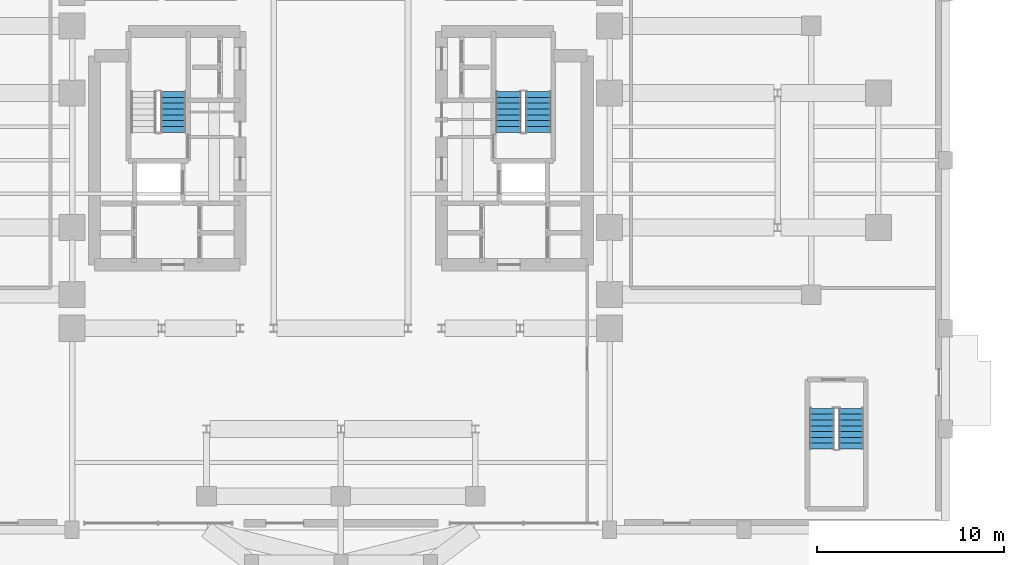
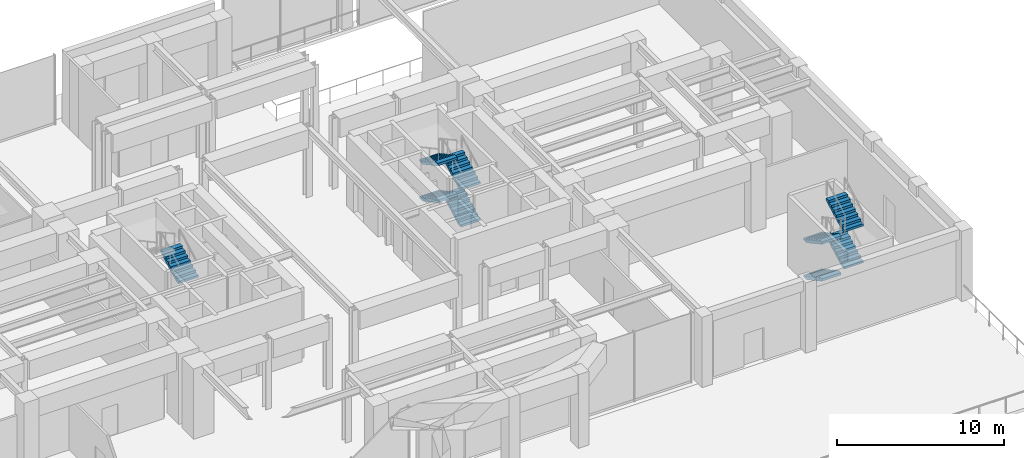
# One storey, part 13 of 17: 9 stair flights, 3 elements without a shape of their own.
"""IFC4 building model written with IfcOpenShell, lengths in metres."""

import ifcopenshell
import ifcopenshell.guid

model = None  # the IFC model being written
_history = None  # IfcOwnerHistory: only IFC2X3 demands one
_inside = {}  # id of a spatial element -> (the spatial element, [elements in it])
_under = {}  # id of a project, library or spatial element -> (it, [spatial elements below it])
_declared = {}  # id of a project -> (the project, [libraries it declares])
_typed = {}  # id of a type object -> (the type object, [elements of that type])
_made_of = {}  # id of a material, layer set ... -> (it, [elements and type objects made of it])


def new_model(schema):
    """Start an empty IFC model of exactly this schema.

    Asked for "IFC4X3", IfcOpenShell would pick the latest addendum, in which some entities
    have other attributes; the version numbers below select the first issue.
    IFC2X3 requires an IfcOwnerHistory on every rooted entity: one is made here for all.
    """
    global model, _history
    if schema == "IFC4X3":
        model = ifcopenshell.file(schema_version=(4, 3, 0, 0))
    else:
        model = ifcopenshell.file(schema=schema)
    _inside.clear()
    _under.clear()
    _declared.clear()
    _typed.clear()
    _made_of.clear()
    _history = None
    if model.schema == "IFC2X3":
        org = make("IfcOrganization", Name="unknown")
        user = make(
            "IfcPersonAndOrganization",
            ThePerson=make("IfcPerson", FamilyName="unknown"),
            TheOrganization=org,
        )
        app = make(
            "IfcApplication",
            ApplicationDeveloper=org,
            Version="unknown",
            ApplicationFullName="unknown",
            ApplicationIdentifier="unknown",
        )
        _history = make(
            "IfcOwnerHistory",
            OwningUser=user,
            OwningApplication=app,
            ChangeAction="ADDED",
            CreationDate=0,
        )
    return model


def make(cls, **values):
    """One entity of the class cls with the attributes given. An attribute that is None is left unset."""
    return model.create_entity(
        cls, **{name: value for name, value in values.items() if value is not None}
    )


def rooted(cls, **values):
    """An entity with a GlobalId (a new one), such as an element, a storey or a relation."""
    return make(cls, GlobalId=ifcopenshell.guid.new(), OwnerHistory=_history, **values)


def si_unit(unit_type, name, prefix=None):
    """IfcSIUnit, for example si_unit("LENGTHUNIT", "METRE", prefix="MILLI")."""
    return make("IfcSIUnit", UnitType=unit_type, Prefix=prefix, Name=name)


def assignment(units):
    """IfcUnitAssignment: the units of a project."""
    return None if units is None else make("IfcUnitAssignment", Units=units)


def point(xyz):
    """IfcCartesianPoint."""
    return None if xyz is None else make("IfcCartesianPoint", Coordinates=xyz)


def direction(xyz):
    """IfcDirection."""
    return None if xyz is None else make("IfcDirection", DirectionRatios=xyz)


def frame(location, z_axis=None, x_axis=None):
    """IfcAxis2Placement3D, a coordinate frame: its origin and axes. An axis left out is left unset."""
    return make(
        "IfcAxis2Placement3D",
        Location=point(location),
        Axis=direction(z_axis),
        RefDirection=direction(x_axis),
    )


def origin():
    """The frame at (0, 0, 0) with its axes left unset."""
    return frame((0.0, 0.0, 0.0))


def place(relative_to, where):
    """IfcLocalPlacement: puts the frame where relative to a parent placement (None: the world)."""
    return make(
        "IfcLocalPlacement", PlacementRelTo=relative_to, RelativePlacement=where
    )


def context(
    kind, dimensions, precision=None, world=None, true_north=None, identifier=None
):
    """IfcGeometricRepresentationContext, for example the 3D "Model" context."""
    return make(
        "IfcGeometricRepresentationContext",
        ContextIdentifier=identifier,
        ContextType=kind,
        CoordinateSpaceDimension=dimensions,
        Precision=precision,
        WorldCoordinateSystem=world,
        TrueNorth=true_north,
    )


def subcontext(parent, identifier, kind, view, scale=None):
    """IfcGeometricRepresentationSubContext, for example "Body" below "Model"."""
    return make(
        "IfcGeometricRepresentationSubContext",
        ContextIdentifier=identifier,
        ContextType=kind,
        ParentContext=parent,
        TargetScale=scale,
        TargetView=view,
    )


def project(units=None, contexts=None):
    """IfcProject with its units and contexts."""
    return rooted(
        "IfcProject",
        Name="project",
        RepresentationContexts=contexts,
        UnitsInContext=assignment(units),
    )


def spatial(cls, under=None, at=None, **own):
    """A site, building, storey or space (cls), placed at a placement, below another one or the project."""
    s = rooted(cls, ObjectPlacement=at, **own)
    if under is not None:
        _under.setdefault(under.id(), (under, []))[1].append(s)
    return s


def polyline(points):
    """IfcPolyline through the points."""
    return make("IfcPolyline", Points=[point(p) for p in points])


def outline(outer, holes=None, kind="AREA"):
    """IfcArbitraryClosedProfileDef: a profile drawn as a closed curve; with holes, ...WithVoids."""
    if holes is None:
        return make("IfcArbitraryClosedProfileDef", ProfileType=kind, OuterCurve=outer)
    return make(
        "IfcArbitraryProfileDefWithVoids",
        ProfileType=kind,
        OuterCurve=outer,
        InnerCurves=holes,
    )


def extrude(swept, where, along, depth):
    """IfcExtrudedAreaSolid: the profile swept, set in the frame where, extruded along a direction by depth."""
    return make(
        "IfcExtrudedAreaSolid",
        SweptArea=swept,
        Position=where,
        ExtrudedDirection=direction(along),
        Depth=depth,
    )


def shape(context_of_items, identifier, shape_type, items):
    """IfcShapeRepresentation: the items that make up one representation, for example the "Body"."""
    return make(
        "IfcShapeRepresentation",
        ContextOfItems=context_of_items,
        RepresentationIdentifier=identifier,
        RepresentationType=shape_type,
        Items=items,
    )


def material(Name=None, Category=None):
    """IfcMaterial."""
    return make("IfcMaterial", Name=Name, Category=Category)


def made_of(thing, what):
    """Note that an element or type object is made of a material, layer set ...; save() writes the relation."""
    if what is not None:
        _made_of.setdefault(what.id(), (what, []))[1].append(thing)
    return thing


def type_object(cls, material=None, **own):
    """A type object (cls), such as IfcWallType, which elements share."""
    return made_of(rooted(cls, **own), material)


def element(
    cls,
    number,
    at=None,
    inside=None,
    cuts=None,
    type_object=None,
    material=None,
    context=None,
    identifier="Body",
    shape_type=None,
    held_by="IfcProductDefinitionShape",
    body=None,
    shapes=None,
    **own,
):
    """One element of the class cls, such as IfcWall. Its Tag is "e" and its number.

    at: its placement. inside: the storey or other place that contains it. cuts: it is an
    opening in that element (IfcRelVoidsElement). A single representation is given by context,
    identifier, shape_type and body (its items); several are given by shapes. held_by: the class
    of the entity that holds the representations. save() writes the other relations.
    """
    e = rooted(cls, Tag="e%d" % number, ObjectPlacement=at, **own)
    if body is not None:
        shapes = [shape(context, identifier, shape_type, body)]
    if shapes is not None:
        e.Representation = make(held_by, Representations=shapes)
    if inside is not None:
        _inside.setdefault(inside.id(), (inside, []))[1].append(e)
    if cuts is not None:
        rooted(
            "IfcRelVoidsElement", RelatingBuildingElement=cuts, RelatedOpeningElement=e
        )
    if type_object is not None:
        _typed.setdefault(type_object.id(), (type_object, []))[1].append(e)
    return made_of(e, material)


def aggregate(whole, parts):
    """IfcRelAggregates: a whole, such as a stair, and the parts it consists of."""
    return rooted("IfcRelAggregates", RelatingObject=whole, RelatedObjects=parts)


def save(model, path):
    """Write the relations noted so far, then the file.

    IfcRelAggregates (storeys below a building ...), IfcRelContainedInSpatialStructure (elements
    in a storey), IfcRelDefinesByType, IfcRelAssociatesMaterial and IfcRelDeclares: one each for
    every whole, place, type object, material and project.
    """
    for whole, parts in _under.values():
        aggregate(whole, parts)
    for where, things in _inside.values():
        rooted(
            "IfcRelContainedInSpatialStructure",
            RelatedElements=things,
            RelatingStructure=where,
        )
    for kind, things in _typed.values():
        rooted("IfcRelDefinesByType", RelatedObjects=things, RelatingType=kind)
    for what, things in _made_of.values():
        rooted("IfcRelAssociatesMaterial", RelatedObjects=things, RelatingMaterial=what)
    for by, libraries in _declared.values():
        rooted("IfcRelDeclares", RelatingContext=by, RelatedDefinitions=libraries)
    model.write(path)


model = new_model("IFC4")

# Units and contexts
model_context = context("Model", 3, precision=1e-05, world=origin(), true_north=direction((0.0, 1.0)))
body_context = subcontext(model_context, "Body", "Model", "MODEL_VIEW")
ifc_project = project(units=[si_unit("LENGTHUNIT", "METRE"), si_unit("AREAUNIT", "SQUARE_METRE"), si_unit("VOLUMEUNIT", "CUBIC_METRE"), si_unit("PLANEANGLEUNIT", "RADIAN"), si_unit("MASSUNIT", "GRAM", prefix="KILO")], contexts=[model_context])

# Site, building, storey
site_placement = place(None, origin())
site = spatial("IfcSite", under=ifc_project, at=site_placement, CompositionType="ELEMENT")
building_placement = place(site_placement, origin())
building = spatial("IfcBuilding", under=site, at=building_placement, Name="Keilestroom Media Tower", CompositionType="ELEMENT")
storey_placement = place(building_placement, origin())
storey = spatial("IfcBuildingStorey", under=building, at=storey_placement, Name="L00", CompositionType="ELEMENT", Elevation=0.0)

# Stair, stair flight
ifc_material_1 = material(Name="Concrete C45/55", Category="concrete")
stair_type_1 = type_object("IfcStairType", Name="Enclosed-Dog-Leg-Stair-ST-CORE", PredefinedType="HALF_TURN_STAIR", material=ifc_material_1)
stair_1_placement = place(storey_placement, origin())
stair_1 = element("IfcStair", 1, at=stair_1_placement, inside=storey, type_object=stair_type_1, Name="L00 West Core Escape Stair ST-1", PredefinedType="HALF_TURN_STAIR")
ifc_material_2 = material(Name="Precast concrete C40/50", Category="concrete")
stair_flight_type_1 = type_object("IfcStairFlightType", Name="Precast-Concrete-Stair-Flight-Core-160", PredefinedType="STRAIGHT", material=ifc_material_2)
stair_flight_1_placement = place(storey_placement, frame((-8.97998046875, 1.5, 2.699951171875), z_axis=(0.0, 0.0, 1.0), x_axis=(0.0, 1.0, 0.0)))
stair_flight_1 = element("IfcStairFlight", 2, at=stair_flight_1_placement, type_object=stair_flight_type_1, Name="ST-1 flight 3", NumberOfRisers=8, NumberOfTreads=7, PredefinedType="STRAIGHT", RiserHeight=0.16875, TreadLength=0.312, context=body_context, shape_type="SweptSolid", body=[
    extrude(outline(polyline([(0.0, 0.0), (0.0, 0.168701171875), (0.31201171875, 0.168701171875), (0.31201171875, 0.33740234375), (0.6240234375, 0.33740234375), (0.6240234375, 0.50634765625), (0.93603515625, 0.50634765625), (0.93603515625, 0.675048828125), (1.248046875, 0.675048828125), (1.248046875, 0.84375), (1.56005859375, 0.84375), (1.56005859375, 1.012451171875), (1.8720703125, 1.012451171875), (1.8720703125, 1.18115234375), (2.18408203125, 1.18115234375), (2.18408203125, 1.35009765625), (2.18408203125, 0.99951171875), (0.336181640625, 0.0), (0.0, 0.0)])), frame((0.0, 0.68017578125, 0.0), z_axis=(0.0, -1.0, 0.0), x_axis=(1.0, 0.0, 0.0)), (0.0, 0.0, 1.0), 1.360107421875),
])
aggregate(stair_1, [stair_flight_1])

# Stair, stair flights
stair_2_placement = place(storey_placement, origin())
stair_2 = element("IfcStair", 3, at=stair_2_placement, inside=storey, type_object=stair_type_1, Name="L00 East Core Escape Stair ST-2", PredefinedType="HALF_TURN_STAIR")
stair_flight_2_placement = place(storey_placement, frame((10.580078125, 1.5, 0.0), z_axis=(0.0, 0.0, 1.0), x_axis=(0.0, 1.0, 0.0)))
stair_flight_2 = element("IfcStairFlight", 4, at=stair_flight_2_placement, type_object=stair_flight_type_1, Name="ST-2 flight 1", NumberOfRisers=8, NumberOfTreads=7, PredefinedType="STRAIGHT", RiserHeight=0.16875, TreadLength=0.312, context=body_context, shape_type="SweptSolid", body=[
    extrude(outline(polyline([(0.0, 0.0), (0.0, 0.168701171875), (0.31201171875, 0.168701171875), (0.31201171875, 0.33740234375), (0.6240234375, 0.33740234375), (0.6240234375, 0.50634765625), (0.93603515625, 0.50634765625), (0.93603515625, 0.675048828125), (1.248046875, 0.675048828125), (1.248046875, 0.84375), (1.56005859375, 0.84375), (1.56005859375, 1.012451171875), (1.8720703125, 1.012451171875), (1.8720703125, 1.18115234375), (2.18408203125, 1.18115234375), (2.18408203125, 1.35009765625), (2.18408203125, 0.99951171875), (0.336181640625, 0.0), (0.0, 0.0)])), frame((0.0, 0.68017578125, 0.0), z_axis=(0.0, -1.0, 0.0), x_axis=(1.0, 0.0, 0.0)), (0.0, 0.0, 1.0), 1.360107421875),
])
stair_flight_3_placement = place(storey_placement, frame((8.97998046875, 3.68408203125, 1.35009765625), z_axis=(0.0, 0.0, 1.0), x_axis=(0.0, -1.0, 0.0)))
stair_flight_3 = element("IfcStairFlight", 5, at=stair_flight_3_placement, type_object=stair_flight_type_1, Name="ST-2 flight 2", NumberOfRisers=8, NumberOfTreads=7, PredefinedType="STRAIGHT", RiserHeight=0.16875, TreadLength=0.312, context=body_context, shape_type="SweptSolid", body=[
    extrude(outline(polyline([(0.0, 0.0), (0.0, 0.168701171875), (0.31201171875, 0.168701171875), (0.31201171875, 0.33740234375), (0.6240234375, 0.33740234375), (0.6240234375, 0.50634765625), (0.93603515625, 0.50634765625), (0.93603515625, 0.675048828125), (1.248046875, 0.675048828125), (1.248046875, 0.84375), (1.56005859375, 0.84375), (1.56005859375, 1.012451171875), (1.8720703125, 1.012451171875), (1.8720703125, 1.18115234375), (2.18408203125, 1.18115234375), (2.18408203125, 1.35009765625), (2.18408203125, 0.99951171875), (0.336181640625, 0.0), (0.0, 0.0)])), frame((0.0, 0.68017578125, 0.0), z_axis=(0.0, -1.0, 0.0), x_axis=(1.0, 0.0, 0.0)), (0.0, 0.0, 1.0), 1.360107421875),
])
stair_flight_4_placement = place(storey_placement, frame((10.580078125, 1.5, 2.699951171875), z_axis=(0.0, 0.0, 1.0), x_axis=(0.0, 1.0, 0.0)))
stair_flight_4 = element("IfcStairFlight", 6, at=stair_flight_4_placement, type_object=stair_flight_type_1, Name="ST-2 flight 3", NumberOfRisers=8, NumberOfTreads=7, PredefinedType="STRAIGHT", RiserHeight=0.16875, TreadLength=0.312, context=body_context, shape_type="SweptSolid", body=[
    extrude(outline(polyline([(0.0, 0.0), (0.0, 0.168701171875), (0.31201171875, 0.168701171875), (0.31201171875, 0.33740234375), (0.6240234375, 0.33740234375), (0.6240234375, 0.50634765625), (0.93603515625, 0.50634765625), (0.93603515625, 0.675048828125), (1.248046875, 0.675048828125), (1.248046875, 0.84375), (1.56005859375, 0.84375), (1.56005859375, 1.012451171875), (1.8720703125, 1.012451171875), (1.8720703125, 1.18115234375), (2.18408203125, 1.18115234375), (2.18408203125, 1.35009765625), (2.18408203125, 0.99951171875), (0.336181640625, 0.0), (0.0, 0.0)])), frame((0.0, 0.68017578125, 0.0), z_axis=(0.0, -1.0, 0.0), x_axis=(1.0, 0.0, 0.0)), (0.0, 0.0, 1.0), 1.360107421875),
])
stair_flight_5_placement = place(storey_placement, frame((8.97998046875, 3.68408203125, 4.050048828125), z_axis=(0.0, 0.0, 1.0), x_axis=(0.0, -1.0, 0.0)))
stair_flight_5 = element("IfcStairFlight", 7, at=stair_flight_5_placement, type_object=stair_flight_type_1, Name="ST-2 flight 4", NumberOfRisers=8, NumberOfTreads=7, PredefinedType="STRAIGHT", RiserHeight=0.16875, TreadLength=0.312, context=body_context, shape_type="SweptSolid", body=[
    extrude(outline(polyline([(0.0, 0.0), (0.0, 0.168701171875), (0.31201171875, 0.168701171875), (0.31201171875, 0.33740234375), (0.6240234375, 0.33740234375), (0.6240234375, 0.50634765625), (0.93603515625, 0.50634765625), (0.93603515625, 0.675048828125), (1.248046875, 0.675048828125), (1.248046875, 0.84375), (1.56005859375, 0.84375), (1.56005859375, 1.012451171875), (1.8720703125, 1.012451171875), (1.8720703125, 1.18115234375), (2.18408203125, 1.18115234375), (2.18408203125, 1.35009765625), (2.18408203125, 0.99951171875), (0.336181640625, 0.0), (0.0, 0.0)])), frame((0.0, 0.68017578125, 0.0), z_axis=(0.0, -1.0, 0.0), x_axis=(1.0, 0.0, 0.0)), (0.0, 0.0, 1.0), 1.360107421875),
])
aggregate(stair_2, [stair_flight_2, stair_flight_3, stair_flight_4, stair_flight_5])

stair_type_2 = type_object("IfcStairType", Name="Enclosed-Dog-Leg-Stair-ST-POD", PredefinedType="HALF_TURN_STAIR", material=ifc_material_1)
stair_3_placement = place(storey_placement, origin())
stair_3 = element("IfcStair", 8, at=stair_3_placement, inside=storey, type_object=stair_type_2, Name="L00 Podium East Studio Escape Stair ST-4", PredefinedType="HALF_TURN_STAIR")
stair_flight_type_2 = type_object("IfcStairFlightType", Name="Precast-Concrete-Stair-Flight-Podium-160", PredefinedType="STRAIGHT", material=ifc_material_2)
stair_flight_6_placement = place(storey_placement, frame((25.780029296875, -13.2900390625, 0.0), z_axis=(0.0, 0.0, 1.0), x_axis=(0.0, -1.0, 0.0)))
stair_flight_6 = element("IfcStairFlight", 9, at=stair_flight_6_placement, type_object=stair_flight_type_2, Name="ST-4 flight 1", NumberOfRisers=8, NumberOfTreads=7, PredefinedType="STRAIGHT", RiserHeight=0.16875, TreadLength=0.312, context=body_context, shape_type="SweptSolid", body=[
    extrude(outline(polyline([(0.0, 0.0), (0.0, 0.168701171875), (0.31201171875, 0.168701171875), (0.31201171875, 0.33740234375), (0.6240234375, 0.33740234375), (0.6240234375, 0.50634765625), (0.93603515625, 0.50634765625), (0.93603515625, 0.675048828125), (1.248046875, 0.675048828125), (1.248046875, 0.84375), (1.56005859375, 0.84375), (1.56005859375, 1.012451171875), (1.8720703125, 1.012451171875), (1.8720703125, 1.18115234375), (2.18408203125, 1.18115234375), (2.18408203125, 1.35009765625), (2.18408203125, 0.99951171875), (0.336181640625, 0.0), (0.0, 0.0)])), frame((0.0, 0.66015625, 0.0), z_axis=(0.0, -1.0, 0.0), x_axis=(1.0, 0.0, 0.0)), (0.0, 0.0, 1.0), 1.320068359375),
])
stair_flight_7_placement = place(storey_placement, frame((27.340087890625, -15.47412109375, 1.35009765625), z_axis=(0.0, 0.0, 1.0), x_axis=(0.0, 1.0, 0.0)))
stair_flight_7 = element("IfcStairFlight", 10, at=stair_flight_7_placement, type_object=stair_flight_type_2, Name="ST-4 flight 2", NumberOfRisers=8, NumberOfTreads=7, PredefinedType="STRAIGHT", RiserHeight=0.16875, TreadLength=0.312, context=body_context, shape_type="SweptSolid", body=[
    extrude(outline(polyline([(0.0, 0.0), (0.0, 0.168701171875), (0.31201171875, 0.168701171875), (0.31201171875, 0.33740234375), (0.6240234375, 0.33740234375), (0.6240234375, 0.50634765625), (0.93603515625, 0.50634765625), (0.93603515625, 0.675048828125), (1.248046875, 0.675048828125), (1.248046875, 0.84375), (1.56005859375, 0.84375), (1.56005859375, 1.012451171875), (1.8720703125, 1.012451171875), (1.8720703125, 1.18115234375), (2.18408203125, 1.18115234375), (2.18408203125, 1.35009765625), (2.18408203125, 0.99951171875), (0.336181640625, 0.0), (0.0, 0.0)])), frame((0.0, 0.66015625, 0.0), z_axis=(0.0, -1.0, 0.0), x_axis=(1.0, 0.0, 0.0)), (0.0, 0.0, 1.0), 1.320068359375),
])
stair_flight_8_placement = place(storey_placement, frame((25.780029296875, -13.2900390625, 2.699951171875), z_axis=(0.0, 0.0, 1.0), x_axis=(0.0, -1.0, 0.0)))
stair_flight_8 = element("IfcStairFlight", 11, at=stair_flight_8_placement, type_object=stair_flight_type_2, Name="ST-4 flight 3", NumberOfRisers=8, NumberOfTreads=7, PredefinedType="STRAIGHT", RiserHeight=0.16875, TreadLength=0.312, context=body_context, shape_type="SweptSolid", body=[
    extrude(outline(polyline([(0.0, 0.0), (0.0, 0.168701171875), (0.31201171875, 0.168701171875), (0.31201171875, 0.33740234375), (0.6240234375, 0.33740234375), (0.6240234375, 0.50634765625), (0.93603515625, 0.50634765625), (0.93603515625, 0.675048828125), (1.248046875, 0.675048828125), (1.248046875, 0.84375), (1.56005859375, 0.84375), (1.56005859375, 1.012451171875), (1.8720703125, 1.012451171875), (1.8720703125, 1.18115234375), (2.18408203125, 1.18115234375), (2.18408203125, 1.35009765625), (2.18408203125, 0.99951171875), (0.336181640625, 0.0), (0.0, 0.0)])), frame((0.0, 0.66015625, 0.0), z_axis=(0.0, -1.0, 0.0), x_axis=(1.0, 0.0, 0.0)), (0.0, 0.0, 1.0), 1.320068359375),
])
stair_flight_9_placement = place(storey_placement, frame((27.340087890625, -15.47412109375, 4.050048828125), z_axis=(0.0, 0.0, 1.0), x_axis=(0.0, 1.0, 0.0)))
stair_flight_9 = element("IfcStairFlight", 12, at=stair_flight_9_placement, type_object=stair_flight_type_2, Name="ST-4 flight 4", NumberOfRisers=8, NumberOfTreads=7, PredefinedType="STRAIGHT", RiserHeight=0.16875, TreadLength=0.312, context=body_context, shape_type="SweptSolid", body=[
    extrude(outline(polyline([(0.0, 0.0), (0.0, 0.168701171875), (0.31201171875, 0.168701171875), (0.31201171875, 0.33740234375), (0.6240234375, 0.33740234375), (0.6240234375, 0.50634765625), (0.93603515625, 0.50634765625), (0.93603515625, 0.675048828125), (1.248046875, 0.675048828125), (1.248046875, 0.84375), (1.56005859375, 0.84375), (1.56005859375, 1.012451171875), (1.8720703125, 1.012451171875), (1.8720703125, 1.18115234375), (2.18408203125, 1.18115234375), (2.18408203125, 1.35009765625), (2.18408203125, 0.99951171875), (0.336181640625, 0.0), (0.0, 0.0)])), frame((0.0, 0.66015625, 0.0), z_axis=(0.0, -1.0, 0.0), x_axis=(1.0, 0.0, 0.0)), (0.0, 0.0, 1.0), 1.320068359375),
])
aggregate(stair_3, [stair_flight_6, stair_flight_7, stair_flight_8, stair_flight_9])

save(model, "model.ifc")
